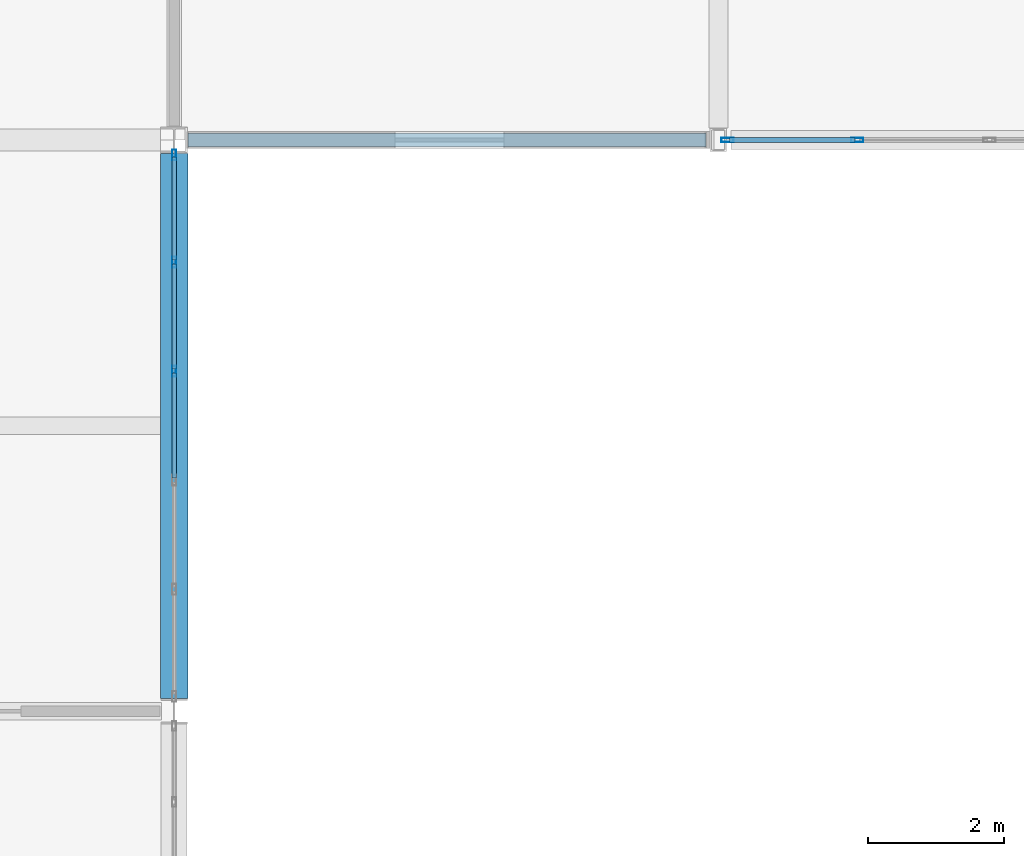
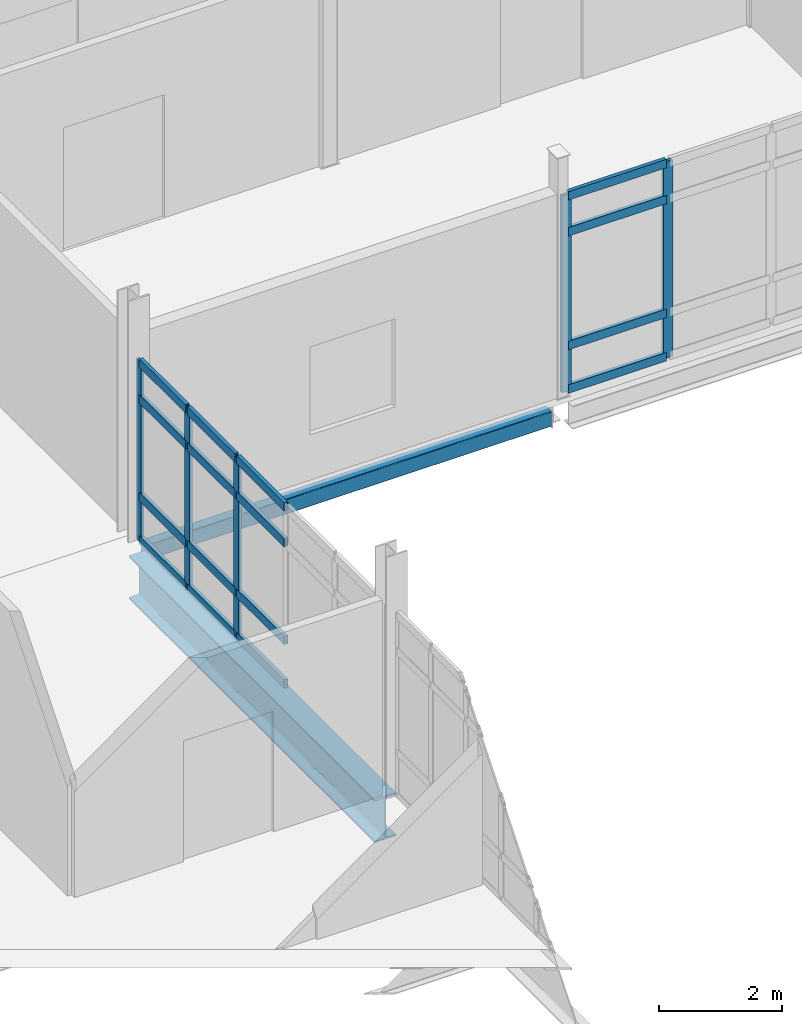
# One storey, part 59 of 186: 21 members, 2 beams, 2 elements without a shape of their own.
"""IFC4 building model written with IfcOpenShell, lengths in metres."""

from ifc_helpers import new_model, si_unit, direction, frame, origin, origin_2d, place, context, subcontext, project, spatial, hollow_rectangle, i_section, extrude, material, layer, layer_set, material_profile, profile_set, type_object, element, aggregate, save


model = new_model("IFC4")

# Units and contexts
model_context = context("Model", 3, precision=1e-05, world=origin(), true_north=direction((0.0, 1.0)))
body_context = subcontext(model_context, "Body", "Model", "MODEL_VIEW")
ifc_project = project(units=[si_unit("LENGTHUNIT", "METRE"), si_unit("AREAUNIT", "SQUARE_METRE"), si_unit("VOLUMEUNIT", "CUBIC_METRE"), si_unit("PLANEANGLEUNIT", "RADIAN"), si_unit("MASSUNIT", "GRAM", prefix="KILO")], contexts=[model_context])

# Site, building, storey
site_placement = place(None, origin())
site = spatial("IfcSite", under=ifc_project, at=site_placement, CompositionType="ELEMENT")
building_placement = place(site_placement, origin())
building = spatial("IfcBuilding", under=site, at=building_placement, Name="Calvrana Isthmian Art Gallery", CompositionType="ELEMENT")
storey_placement = place(building_placement, frame((0.0, 0.0, 5.39990234375)))
storey = spatial("IfcBuildingStorey", under=building, at=storey_placement, Name="L01", CompositionType="ELEMENT", Elevation=5.39990234375)

# Beams
ifc_material_1 = material(Name="Steel ASTM A992 Gr 50", Category="steel")
ifc_material_profile_1 = material_profile(ifc_material_1, i_section(OverallWidth=0.40087890625, OverallDepth=0.85595703125, WebThickness=0.018310546875, FlangeThickness=0.029296875, FilletRadius=0.02587890625, at=origin_2d()), Name="W33X201")
ifc_profile_set_1 = profile_set([ifc_material_profile_1], Name="Steel ASTM A992 Gr 50")
beam_type_1 = type_object("IfcBeamType", Name="BM-G-W33X201", PredefinedType="BEAM", material=ifc_profile_set_1)
beam_1_placement = place(storey_placement, frame((80.39990234375, 38.58642578125, -0.6728515625), z_axis=(0.0, 1.0, 0.0), x_axis=(-1.0, 0.0, 0.0)))
element("IfcBeam", 1, at=beam_1_placement, inside=storey, type_object=beam_type_1, Name="Girder Y L01 11/F-G", PredefinedType="BEAM", context=body_context, shape_type="SweptSolid", body=[
    extrude(i_section(OverallWidth=0.40087890625, OverallDepth=0.85595703125, WebThickness=0.018310546875, FlangeThickness=0.029296875, FilletRadius=0.02587890625, at=origin_2d()), origin(), (0.0, 0.0, 1.0), 8.01416015625),
])
ifc_material_2 = material(Name="Steel ASTM A500 Gr C", Category="steel")
ifc_material_profile_2 = material_profile(ifc_material_2, hollow_rectangle(XDim=0.203125, YDim=0.3046875, WallThickness=0.0126953125, OuterFilletRadius=0.02490234375, at=origin_2d()), Name="HSS305X203X12.7")
ifc_profile_set_2 = profile_set([ifc_material_profile_2], Name="Steel ASTM A500 Gr C")
beam_type_2 = type_object("IfcBeamType", Name="BM-SP-HSS305", PredefinedType="SPANDREL", material=ifc_profile_set_2)
beam_2_placement = place(storey_placement, frame((80.6005859375, 46.800048828125, -0.397216796875), z_axis=(1.0, 0.0, 0.0), x_axis=(0.0, 1.0, 0.0)))
element("IfcBeam", 2, at=beam_2_placement, inside=storey, type_object=beam_type_2, Name="Girder X L01 11-12/G", PredefinedType="SPANDREL", context=body_context, shape_type="SweptSolid", body=[
    extrude(hollow_rectangle(XDim=0.203125, YDim=0.3046875, WallThickness=0.0126953125, OuterFilletRadius=0.02490234375, at=origin_2d()), origin(), (0.0, 0.0, 1.0), 7.615478515625),
])

# Curtain wall, members
ifc_material_3 = material(Name="Anodized bronze aluminium 6063-T6", Category="aluminium")
ifc_layer_1 = layer(ifc_material_3, 0.179931640625, Name="Anodized bronze aluminium 6063-T6")
ifc_layer_set_1 = layer_set([ifc_layer_1], Name="Anodized bronze aluminium 6063-T6")
curtain_wall_type_1 = type_object("IfcCurtainWallType", Name="CW-UNIT-080X36", PredefinedType="USERDEFINED", material=ifc_layer_set_1)
curtain_wall_1_placement = place(storey_placement, origin())
curtain_wall_1 = element("IfcCurtainWall", 3, at=curtain_wall_1_placement, inside=storey, type_object=curtain_wall_type_1, Name="Curtain wall CW-133", ObjectType="UNITISED CURTAIN WALL", PredefinedType="USERDEFINED")
ifc_material_profile_3 = material_profile(ifc_material_3, hollow_rectangle(XDim=0.06005859375, YDim=0.159912109375, WallThickness=0.00390625, at=origin_2d()), Name="CWM60X160")
ifc_profile_set_3 = profile_set([ifc_material_profile_3], Name="Anodized bronze aluminium 6063-T6")
member_type_1 = type_object("IfcMemberType", Name="CWM-CWM60X160", PredefinedType="MULLION", material=ifc_profile_set_3)
member_1_placement = place(storey_placement, frame((80.39990234375, 46.57958984375, 0.0), z_axis=(0.0, 0.0, 1.0), x_axis=(1.0, 0.0, 0.0)))
member_1 = element("IfcMember", 4, at=member_1_placement, type_object=member_type_1, Name="CW-133 mullion 1", PredefinedType="MULLION", context=body_context, shape_type="SweptSolid", body=[
    extrude(hollow_rectangle(XDim=0.06005859375, YDim=0.159912109375, WallThickness=0.00390625, at=origin_2d()), origin(), (0.0, 0.0, 1.0), 3.593017578125),
])
member_2_placement = place(storey_placement, frame((80.39990234375, 45.005126953125, 0.0), z_axis=(0.0, 0.0, 1.0), x_axis=(1.0, 0.0, 0.0)))
member_2 = element("IfcMember", 5, at=member_2_placement, type_object=member_type_1, Name="CW-133 mullion 2", PredefinedType="MULLION", context=body_context, shape_type="SweptSolid", body=[
    extrude(hollow_rectangle(XDim=0.06005859375, YDim=0.159912109375, WallThickness=0.00390625, at=origin_2d()), origin(), (0.0, 0.0, 1.0), 3.593017578125),
])
member_3_placement = place(storey_placement, frame((80.39990234375, 43.40087890625, 0.0), z_axis=(0.0, 0.0, 1.0), x_axis=(1.0, 0.0, 0.0)))
member_3 = element("IfcMember", 6, at=member_3_placement, type_object=member_type_1, Name="CW-133 mullion 3", PredefinedType="MULLION", context=body_context, shape_type="SweptSolid", body=[
    extrude(hollow_rectangle(XDim=0.06005859375, YDim=0.159912109375, WallThickness=0.00390625, at=origin_2d()), origin(), (0.0, 0.0, 1.0), 3.593017578125),
])

ifc_layer_2 = layer(ifc_material_3, 0.179931640625, Name="Anodized bronze aluminium 6063-T6")
ifc_layer_set_2 = layer_set([ifc_layer_2], Name="Anodized bronze aluminium 6063-T6")
curtain_wall_type_2 = type_object("IfcCurtainWallType", Name="CW-STICK-078X39", PredefinedType="NOTDEFINED", material=ifc_layer_set_2)
curtain_wall_2_placement = place(storey_placement, origin())
curtain_wall_2 = element("IfcCurtainWall", 7, at=curtain_wall_2_placement, inside=storey, type_object=curtain_wall_type_2, Name="Curtain wall CW-098", PredefinedType="NOTDEFINED")
ifc_material_profile_4 = material_profile(ifc_material_3, hollow_rectangle(XDim=0.06494140625, YDim=0.179931640625, WallThickness=0.00439453125, at=origin_2d()), Name="CWM65X180")
ifc_profile_set_4 = profile_set([ifc_material_profile_4], Name="Anodized bronze aluminium 6063-T6")
member_type_2 = type_object("IfcMemberType", Name="CWM-CWM65X180", PredefinedType="MULLION", material=ifc_profile_set_4)
member_4_placement = place(storey_placement, frame((90.4443359375, 46.800048828125, 0.0), z_axis=(0.0, 0.0, 1.0), x_axis=(0.0, -1.0, 0.0)))
member_4 = element("IfcMember", 8, at=member_4_placement, type_object=member_type_2, Name="CW-098 mullion 4", PredefinedType="MULLION", context=body_context, shape_type="SweptSolid", body=[
    extrude(hollow_rectangle(XDim=0.06494140625, YDim=0.179931640625, WallThickness=0.00439453125, at=origin_2d()), origin(), (0.0, 0.0, 1.0), 3.9130859375),
])
member_5_placement = place(storey_placement, frame((88.5341796875, 46.800048828125, 0.0), z_axis=(0.0, 0.0, 1.0), x_axis=(0.0, -1.0, 0.0)))
member_5 = element("IfcMember", 9, at=member_5_placement, type_object=member_type_2, Name="CW-098 mullion 5", PredefinedType="MULLION", context=body_context, shape_type="SweptSolid", body=[
    extrude(hollow_rectangle(XDim=0.06494140625, YDim=0.179931640625, WallThickness=0.00439453125, at=origin_2d()), origin(), (0.0, 0.0, 1.0), 3.9130859375),
])
ifc_material_profile_5 = material_profile(ifc_material_3, hollow_rectangle(XDim=0.070068359375, YDim=0.169921875, WallThickness=0.00439453125, at=origin_2d()), Name="CWT70X170")
ifc_profile_set_5 = profile_set([ifc_material_profile_5], Name="Anodized bronze aluminium 6063-T6")
member_type_3 = type_object("IfcMemberType", Name="CWT-CWT70X170", PredefinedType="USERDEFINED", material=ifc_profile_set_5)
member_6_placement = place(storey_placement, frame((90.411865234375, 46.800048828125, 0.03515625), z_axis=(-1.0, 0.0, 0.0), x_axis=(0.0, -1.0, 0.0)))
member_6 = element("IfcMember", 10, at=member_6_placement, type_object=member_type_3, Name="CW-098 transom 4.1", ObjectType="TRANSOM", PredefinedType="USERDEFINED", context=body_context, shape_type="SweptSolid", body=[
    extrude(hollow_rectangle(XDim=0.070068359375, YDim=0.169921875, WallThickness=0.00439453125, at=origin_2d()), origin(), (0.0, 0.0, 1.0), 1.84521484375),
])
member_7_placement = place(storey_placement, frame((90.411865234375, 46.800048828125, 0.900146484375), z_axis=(-1.0, 0.0, 0.0), x_axis=(0.0, -1.0, 0.0)))
member_7 = element("IfcMember", 11, at=member_7_placement, type_object=member_type_3, Name="CW-098 transom 4.2", ObjectType="TRANSOM", PredefinedType="USERDEFINED", context=body_context, shape_type="SweptSolid", body=[
    extrude(hollow_rectangle(XDim=0.070068359375, YDim=0.169921875, WallThickness=0.00439453125, at=origin_2d()), origin(), (0.0, 0.0, 1.0), 1.84521484375),
])
member_8_placement = place(storey_placement, frame((90.411865234375, 46.800048828125, 3.1630859375), z_axis=(-1.0, 0.0, 0.0), x_axis=(0.0, -1.0, 0.0)))
member_8 = element("IfcMember", 12, at=member_8_placement, type_object=member_type_3, Name="CW-098 transom 4.3", ObjectType="TRANSOM", PredefinedType="USERDEFINED", context=body_context, shape_type="SweptSolid", body=[
    extrude(hollow_rectangle(XDim=0.070068359375, YDim=0.169921875, WallThickness=0.00439453125, at=origin_2d()), origin(), (0.0, 0.0, 1.0), 1.84521484375),
])
member_9_placement = place(storey_placement, frame((90.411865234375, 46.800048828125, 3.878173828125), z_axis=(-1.0, 0.0, 0.0), x_axis=(0.0, -1.0, 0.0)))
member_9 = element("IfcMember", 13, at=member_9_placement, type_object=member_type_3, Name="CW-098 transom 4.4", ObjectType="TRANSOM", PredefinedType="USERDEFINED", context=body_context, shape_type="SweptSolid", body=[
    extrude(hollow_rectangle(XDim=0.070068359375, YDim=0.169921875, WallThickness=0.00439453125, at=origin_2d()), origin(), (0.0, 0.0, 1.0), 1.84521484375),
])
aggregate(curtain_wall_2, [member_4, member_5, member_6, member_7, member_8, member_9])

# Member
member_10_placement = place(storey_placement, frame((80.39990234375, 46.549560546875, 0.03515625), z_axis=(0.0, -1.0, 0.0), x_axis=(1.0, 0.0, 0.0)))
member_10 = element("IfcMember", 14, at=member_10_placement, type_object=member_type_3, Name="CW-133 transom 1.1", ObjectType="TRANSOM", PredefinedType="USERDEFINED", context=body_context, shape_type="SweptSolid", body=[
    extrude(hollow_rectangle(XDim=0.070068359375, YDim=0.169921875, WallThickness=0.00439453125, at=origin_2d()), origin(), (0.0, 0.0, 1.0), 1.514404296875),
])

member_11_placement = place(storey_placement, frame((80.39990234375, 46.549560546875, 0.900146484375), z_axis=(0.0, -1.0, 0.0), x_axis=(1.0, 0.0, 0.0)))
member_11 = element("IfcMember", 15, at=member_11_placement, type_object=member_type_3, Name="CW-133 transom 1.2", ObjectType="TRANSOM", PredefinedType="USERDEFINED", context=body_context, shape_type="SweptSolid", body=[
    extrude(hollow_rectangle(XDim=0.070068359375, YDim=0.169921875, WallThickness=0.00439453125, at=origin_2d()), origin(), (0.0, 0.0, 1.0), 1.514404296875),
])

member_12_placement = place(storey_placement, frame((80.39990234375, 46.549560546875, 2.843017578125), z_axis=(0.0, -1.0, 0.0), x_axis=(1.0, 0.0, 0.0)))
member_12 = element("IfcMember", 16, at=member_12_placement, type_object=member_type_3, Name="CW-133 transom 1.3", ObjectType="TRANSOM", PredefinedType="USERDEFINED", context=body_context, shape_type="SweptSolid", body=[
    extrude(hollow_rectangle(XDim=0.070068359375, YDim=0.169921875, WallThickness=0.00439453125, at=origin_2d()), origin(), (0.0, 0.0, 1.0), 1.514404296875),
])

member_13_placement = place(storey_placement, frame((80.39990234375, 46.549560546875, 3.55810546875), z_axis=(0.0, -1.0, 0.0), x_axis=(1.0, 0.0, 0.0)))
member_13 = element("IfcMember", 17, at=member_13_placement, type_object=member_type_3, Name="CW-133 transom 1.4", ObjectType="TRANSOM", PredefinedType="USERDEFINED", context=body_context, shape_type="SweptSolid", body=[
    extrude(hollow_rectangle(XDim=0.070068359375, YDim=0.169921875, WallThickness=0.00439453125, at=origin_2d()), origin(), (0.0, 0.0, 1.0), 1.514404296875),
])

member_14_placement = place(storey_placement, frame((80.39990234375, 44.97509765625, 0.03515625), z_axis=(0.0, -1.0, 0.0), x_axis=(1.0, 0.0, 0.0)))
member_14 = element("IfcMember", 18, at=member_14_placement, type_object=member_type_3, Name="CW-133 transom 2.1", ObjectType="TRANSOM", PredefinedType="USERDEFINED", context=body_context, shape_type="SweptSolid", body=[
    extrude(hollow_rectangle(XDim=0.070068359375, YDim=0.169921875, WallThickness=0.00439453125, at=origin_2d()), origin(), (0.0, 0.0, 1.0), 1.544189453125),
])

member_15_placement = place(storey_placement, frame((80.39990234375, 44.97509765625, 0.900146484375), z_axis=(0.0, -1.0, 0.0), x_axis=(1.0, 0.0, 0.0)))
member_15 = element("IfcMember", 19, at=member_15_placement, type_object=member_type_3, Name="CW-133 transom 2.2", ObjectType="TRANSOM", PredefinedType="USERDEFINED", context=body_context, shape_type="SweptSolid", body=[
    extrude(hollow_rectangle(XDim=0.070068359375, YDim=0.169921875, WallThickness=0.00439453125, at=origin_2d()), origin(), (0.0, 0.0, 1.0), 1.544189453125),
])

member_16_placement = place(storey_placement, frame((80.39990234375, 44.97509765625, 2.843017578125), z_axis=(0.0, -1.0, 0.0), x_axis=(1.0, 0.0, 0.0)))
member_16 = element("IfcMember", 20, at=member_16_placement, type_object=member_type_3, Name="CW-133 transom 2.3", ObjectType="TRANSOM", PredefinedType="USERDEFINED", context=body_context, shape_type="SweptSolid", body=[
    extrude(hollow_rectangle(XDim=0.070068359375, YDim=0.169921875, WallThickness=0.00439453125, at=origin_2d()), origin(), (0.0, 0.0, 1.0), 1.544189453125),
])

member_17_placement = place(storey_placement, frame((80.39990234375, 44.97509765625, 3.55810546875), z_axis=(0.0, -1.0, 0.0), x_axis=(1.0, 0.0, 0.0)))
member_17 = element("IfcMember", 21, at=member_17_placement, type_object=member_type_3, Name="CW-133 transom 2.4", ObjectType="TRANSOM", PredefinedType="USERDEFINED", context=body_context, shape_type="SweptSolid", body=[
    extrude(hollow_rectangle(XDim=0.070068359375, YDim=0.169921875, WallThickness=0.00439453125, at=origin_2d()), origin(), (0.0, 0.0, 1.0), 1.544189453125),
])

member_18_placement = place(storey_placement, frame((80.39990234375, 43.370849609375, 0.03515625), z_axis=(0.0, -1.0, 0.0), x_axis=(1.0, 0.0, 0.0)))
member_18 = element("IfcMember", 22, at=member_18_placement, type_object=member_type_3, Name="CW-133 transom 3.1", ObjectType="TRANSOM", PredefinedType="USERDEFINED", context=body_context, shape_type="SweptSolid", body=[
    extrude(hollow_rectangle(XDim=0.070068359375, YDim=0.169921875, WallThickness=0.00439453125, at=origin_2d()), origin(), (0.0, 0.0, 1.0), 1.544189453125),
])

member_19_placement = place(storey_placement, frame((80.39990234375, 43.370849609375, 0.900146484375), z_axis=(0.0, -1.0, 0.0), x_axis=(1.0, 0.0, 0.0)))
member_19 = element("IfcMember", 23, at=member_19_placement, type_object=member_type_3, Name="CW-133 transom 3.2", ObjectType="TRANSOM", PredefinedType="USERDEFINED", context=body_context, shape_type="SweptSolid", body=[
    extrude(hollow_rectangle(XDim=0.070068359375, YDim=0.169921875, WallThickness=0.00439453125, at=origin_2d()), origin(), (0.0, 0.0, 1.0), 1.544189453125),
])

member_20_placement = place(storey_placement, frame((80.39990234375, 43.370849609375, 2.843017578125), z_axis=(0.0, -1.0, 0.0), x_axis=(1.0, 0.0, 0.0)))
member_20 = element("IfcMember", 24, at=member_20_placement, type_object=member_type_3, Name="CW-133 transom 3.3", ObjectType="TRANSOM", PredefinedType="USERDEFINED", context=body_context, shape_type="SweptSolid", body=[
    extrude(hollow_rectangle(XDim=0.070068359375, YDim=0.169921875, WallThickness=0.00439453125, at=origin_2d()), origin(), (0.0, 0.0, 1.0), 1.544189453125),
])

member_21_placement = place(storey_placement, frame((80.39990234375, 43.370849609375, 3.55810546875), z_axis=(0.0, -1.0, 0.0), x_axis=(1.0, 0.0, 0.0)))
member_21 = element("IfcMember", 25, at=member_21_placement, type_object=member_type_3, Name="CW-133 transom 3.4", ObjectType="TRANSOM", PredefinedType="USERDEFINED", context=body_context, shape_type="SweptSolid", body=[
    extrude(hollow_rectangle(XDim=0.070068359375, YDim=0.169921875, WallThickness=0.00439453125, at=origin_2d()), origin(), (0.0, 0.0, 1.0), 1.544189453125),
])

aggregate(curtain_wall_1, [member_1, member_2, member_3, member_10, member_11, member_12, member_13, member_14, member_15, member_16, member_17, member_18, member_19, member_20, member_21])

save(model, "model.ifc")
